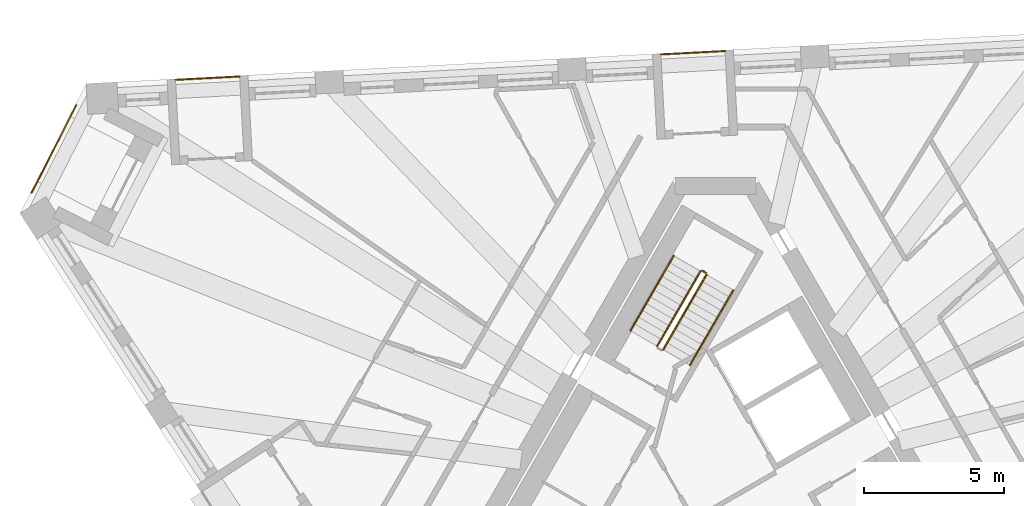
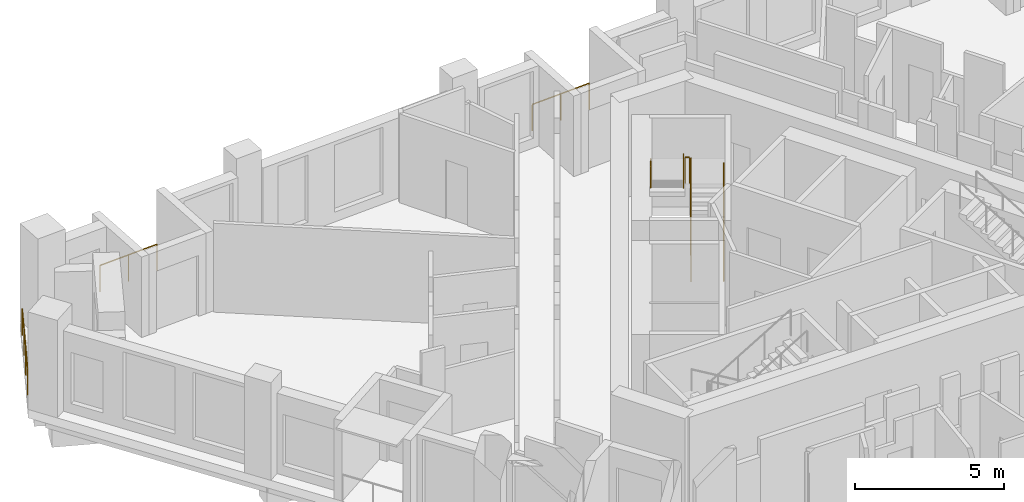
# One storey, part 12 of 13: 8 railings.
"""IFC4 building model written with IfcOpenShell, lengths in metres."""

from ifc_helpers import new_model, si_unit, direction, frame, origin, origin_2d, place, context, subcontext, project, spatial, circle, extrude, material, type_object, element, save


model = new_model("IFC4")

# Units and contexts
model_context = context("Model", 3, precision=1e-05, world=origin(), true_north=direction((0.0, 1.0)))
body_context = subcontext(model_context, "Body", "Model", "MODEL_VIEW")
ifc_project = project(units=[si_unit("LENGTHUNIT", "METRE"), si_unit("AREAUNIT", "SQUARE_METRE"), si_unit("VOLUMEUNIT", "CUBIC_METRE"), si_unit("PLANEANGLEUNIT", "RADIAN"), si_unit("MASSUNIT", "GRAM", prefix="KILO")], contexts=[model_context])

# Site, building, storey
site_placement = place(None, origin())
site = spatial("IfcSite", under=ifc_project, at=site_placement, CompositionType="ELEMENT")
building_placement = place(site_placement, origin())
building = spatial("IfcBuilding", under=site, at=building_placement, Name="Tramontana Tower", CompositionType="ELEMENT")
storey_placement = place(building_placement, frame((0.0, 0.0, 290.39990234375)))
storey = spatial("IfcBuildingStorey", under=building, at=storey_placement, Name="L68", CompositionType="ELEMENT", Elevation=290.39990234375)

# Railings
ifc_material_1 = material(Name="Laminated glass balustrade", Category="glass")
railing_type_1 = type_object("IfcRailingType", Name="GD1 Loggia glass balustrade 1100", PredefinedType="BALUSTRADE", material=ifc_material_1)
for number, where, name in (
    (1, (0.332275390625, 15.508544921875, 0.0), "Loggia balustrade L68 G7S2.7"),
    (2, (-16.964599609375, 14.60205078125, 0.0), "Loggia balustrade L68 G7S2.13"),
):
    element("IfcRailing", number, at=place(storey_placement, frame(where)), inside=storey, type_object=railing_type_1, Name=name, PredefinedType="BALUSTRADE", context=body_context, shape_type="SweptSolid", body=[
        extrude(circle(Radius=0.02392578125, at=origin_2d()), frame((0.0, 0.0, 1.076171875), z_axis=(-0.998630775221, -0.052312281362, 0.0), x_axis=(0.052312281362, -0.998630775221, 0.0)), (0.0, 0.0, 1.0), 2.286865234375),
        extrude(circle(Radius=0.02099609375, at=origin_2d()), origin(), (0.0, 0.0, 1.0), 1.052001953125),
        extrude(circle(Radius=0.02099609375, at=origin_2d()), frame((-1.141845703125, -0.059814453125, 0.0)), (0.0, 0.0, 1.0), 1.052001953125),
        extrude(circle(Radius=0.02099609375, at=origin_2d()), frame((-2.28369140625, -0.11962890625, 0.0)), (0.0, 0.0, 1.0), 1.052001953125),
    ])
railing_1_placement = place(storey_placement, frame((-24.37939453125, 10.457763671875, 0.0)))
element("IfcRailing", 3, at=railing_1_placement, inside=storey, type_object=railing_type_1, Name="Corner loggia balustrade L68 K70", PredefinedType="BALUSTRADE", context=body_context, shape_type="SweptSolid", body=[
    extrude(circle(Radius=0.02392578125, at=origin_2d()), frame((0.0, 0.0, 1.076171875), z_axis=(0.453952949021, 0.891025656238, 0.0), x_axis=(-0.891025656238, 0.453952949021, 0.0)), (0.0, 0.0, 1.0), 3.5),
    extrude(circle(Radius=0.02099609375, at=origin_2d()), origin(), (0.0, 0.0, 1.0), 1.052001953125),
    extrude(circle(Radius=0.02099609375, at=origin_2d()), frame((0.529541015625, 1.03955078125, 0.0)), (0.0, 0.0, 1.0), 1.052001953125),
    extrude(circle(Radius=0.02099609375, at=origin_2d()), frame((1.059326171875, 2.0791015625, 0.0)), (0.0, 0.0, 1.0), 1.052001953125),
    extrude(circle(Radius=0.02099609375, at=origin_2d()), frame((1.5888671875, 3.11865234375, 0.0)), (0.0, 0.0, 1.0), 1.052001953125),
])
ifc_material_2 = material(Name="Painted steel", Category="steel")
railing_type_2 = type_object("IfcRailingType", Name="STAIR GUARD 1100", PredefinedType="GUARDRAIL", material=ifc_material_2)
railing_2_placement = place(storey_placement, frame((-1.867431640625, 4.865478515625, 0.166748046875)))
element("IfcRailing", 4, at=railing_2_placement, inside=storey, type_object=railing_type_2, Name="L68 ST1 stair guard 1", PredefinedType="GUARDRAIL", context=body_context, shape_type="SweptSolid", body=[
    extrude(circle(Radius=0.02392578125, at=origin_2d()), frame((0.0, 0.0, 1.076171875), z_axis=(0.429649414936, 0.744189839504, 0.511451721109), x_axis=(-0.866029832698, 0.499992328818, 0.0)), (0.0, 0.0, 1.0), 3.58447265625),
    extrude(circle(Radius=0.02099609375, at=origin_2d()), origin(), (0.0, 0.0, 1.0), 1.052001953125),
    extrude(circle(Radius=0.02099609375, at=origin_2d()), frame((0.513427734375, 0.88916015625, 0.611083984375)), (0.0, 0.0, 1.0), 1.052001953125),
    extrude(circle(Radius=0.02099609375, at=origin_2d()), frame((1.026611328125, 1.7783203125, 1.22216796875)), (0.0, 0.0, 1.0), 1.052001953125),
    extrude(circle(Radius=0.02099609375, at=origin_2d()), frame((1.5400390625, 2.66748046875, 1.833251953125)), (0.0, 0.0, 1.0), 1.052001953125),
])
railing_3_placement = place(storey_placement, frame((-0.5439453125, 7.657958984375, 2.166748046875)))
element("IfcRailing", 5, at=railing_3_placement, inside=storey, type_object=railing_type_2, Name="L68 ST1 stair guard 2", PredefinedType="GUARDRAIL", context=body_context, shape_type="SweptSolid", body=[
    extrude(circle(Radius=0.02392578125, at=origin_2d()), frame((0.0, 0.0, 1.076171875), z_axis=(-0.429649414936, -0.744189839504, 0.511451721109), x_axis=(0.866029832698, -0.499992328818, 0.0)), (0.0, 0.0, 1.0), 3.58447265625),
    extrude(circle(Radius=0.02099609375, at=origin_2d()), origin(), (0.0, 0.0, 1.0), 1.052001953125),
    extrude(circle(Radius=0.02099609375, at=origin_2d()), frame((-0.513427734375, -0.88916015625, 0.611083984375)), (0.0, 0.0, 1.0), 1.052001953125),
    extrude(circle(Radius=0.02099609375, at=origin_2d()), frame((-1.026611328125, -1.7783203125, 1.22216796875)), (0.0, 0.0, 1.0), 1.052001953125),
    extrude(circle(Radius=0.02099609375, at=origin_2d()), frame((-1.5400390625, -2.66748046875, 1.833251953125)), (0.0, 0.0, 1.0), 1.052001953125),
])
railing_4_placement = place(storey_placement, frame((-0.345703125, 7.601318359375, 2.0)))
element("IfcRailing", 6, at=railing_4_placement, inside=storey, type_object=railing_type_2, Name="L68 ST1 stair guard 3", PredefinedType="GUARDRAIL", context=body_context, shape_type="SweptSolid", body=[
    extrude(circle(Radius=0.02392578125, at=origin_2d()), frame((0.0, 0.0, 1.076171875), z_axis=(-0.866131372301, 0.499816412211, 0.0), x_axis=(-0.499816412211, -0.866131372301, 0.0)), (0.0, 0.0, 1.0), 0.14990234375),
    extrude(circle(Radius=0.02099609375, at=origin_2d()), origin(), (0.0, 0.0, 1.0), 1.052001953125),
    extrude(circle(Radius=0.02099609375, at=origin_2d()), frame((-0.1298828125, 0.074951171875, 0.0)), (0.0, 0.0, 1.0), 1.052001953125),
])
ifc_material_3 = material(Name="Painted steel", Category="steel")
railing_type_3 = type_object("IfcRailingType", Name="STAIR HANDRAIL 900", PredefinedType="HANDRAIL", material=ifc_material_3)
railing_5_placement = place(storey_placement, frame((-0.914794921875, 4.315673828125, 0.166748046875)))
element("IfcRailing", 7, at=railing_5_placement, inside=storey, type_object=railing_type_3, Name="L68 ST1 stair handrail 1", PredefinedType="HANDRAIL", context=body_context, shape_type="SweptSolid", body=[
    extrude(circle(Radius=0.02392578125, at=origin_2d()), frame((0.0, 0.0, 0.8759765625), z_axis=(0.429671193721, 0.744159446956, 0.511477646425), x_axis=(-0.866010015463, 0.500026652407, 0.0)), (0.0, 0.0, 1.0), 3.584228515625),
    extrude(circle(Radius=0.02099609375, at=origin_2d()), origin(), (0.0, 0.0, 1.0), 0.851806640625),
    extrude(circle(Radius=0.02099609375, at=origin_2d()), frame((0.513427734375, 0.88916015625, 0.611083984375)), (0.0, 0.0, 1.0), 0.851806640625),
    extrude(circle(Radius=0.02099609375, at=origin_2d()), frame((1.026611328125, 1.778076171875, 1.22216796875)), (0.0, 0.0, 1.0), 0.851806640625),
    extrude(circle(Radius=0.02099609375, at=origin_2d()), frame((1.5400390625, 2.667236328125, 1.833251953125)), (0.0, 0.0, 1.0), 0.851806640625),
])
railing_6_placement = place(storey_placement, frame((-1.49658203125, 8.2080078125, 2.166748046875)))
element("IfcRailing", 8, at=railing_6_placement, inside=storey, type_object=railing_type_3, Name="L68 ST1 stair handrail 2", PredefinedType="HANDRAIL", context=body_context, shape_type="SweptSolid", body=[
    extrude(circle(Radius=0.02392578125, at=origin_2d()), frame((0.0, 0.0, 0.8759765625), z_axis=(-0.429649414936, -0.744189839504, 0.511451721109), x_axis=(0.866029832698, -0.499992328818, 0.0)), (0.0, 0.0, 1.0), 3.58447265625),
    extrude(circle(Radius=0.02099609375, at=origin_2d()), origin(), (0.0, 0.0, 1.0), 0.851806640625),
    extrude(circle(Radius=0.02099609375, at=origin_2d()), frame((-0.513427734375, -0.88916015625, 0.611083984375)), (0.0, 0.0, 1.0), 0.851806640625),
    extrude(circle(Radius=0.02099609375, at=origin_2d()), frame((-1.026611328125, -1.7783203125, 1.22216796875)), (0.0, 0.0, 1.0), 0.851806640625),
    extrude(circle(Radius=0.02099609375, at=origin_2d()), frame((-1.5400390625, -2.66748046875, 1.833251953125)), (0.0, 0.0, 1.0), 0.851806640625),
])

save(model, "model.ifc")
